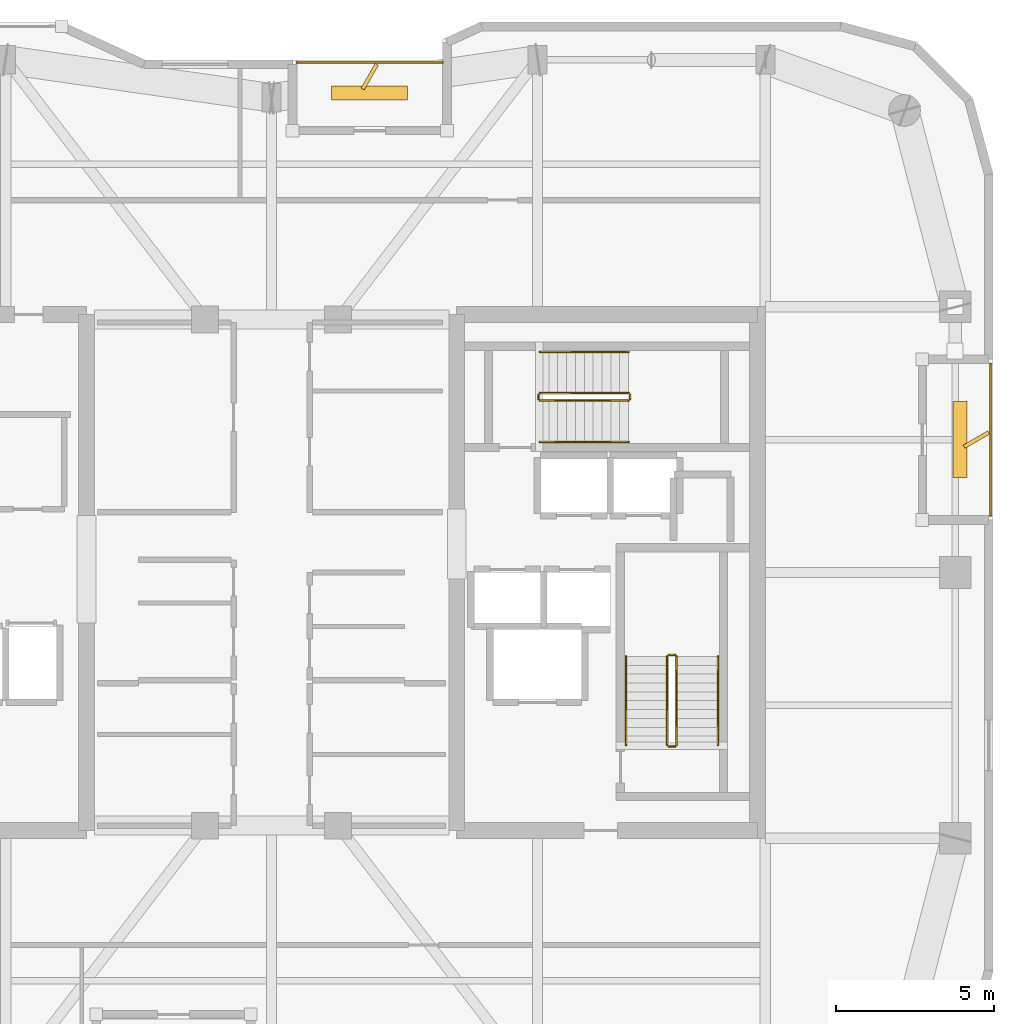
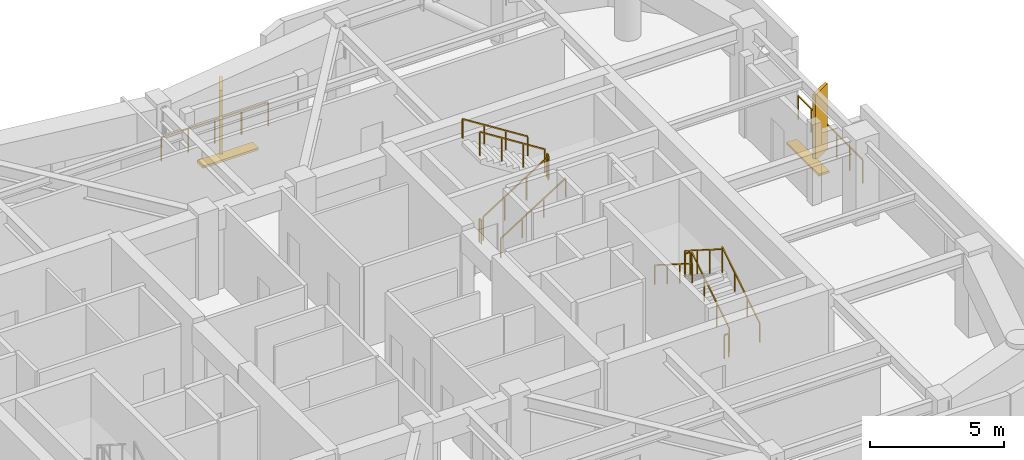
# One storey, part 15 of 15: 14 railings, 4 shading devices.
"""IFC4 building model written with IfcOpenShell, lengths in metres."""

from ifc_helpers import new_model, si_unit, direction, frame, origin, origin_2d, place, context, subcontext, project, spatial, rectangle, extrude, material, type_object, element, save


model = new_model("IFC4")

# Units and contexts
model_context = context("Model", 3, precision=1e-05, world=origin(), true_north=direction((0.0, 1.0)))
body_context = subcontext(model_context, "Body", "Model", "MODEL_VIEW")
ifc_project = project(units=[si_unit("LENGTHUNIT", "METRE"), si_unit("AREAUNIT", "SQUARE_METRE"), si_unit("VOLUMEUNIT", "CUBIC_METRE"), si_unit("PLANEANGLEUNIT", "RADIAN"), si_unit("MASSUNIT", "GRAM", prefix="KILO")], contexts=[model_context])

# Site, building, storey
site_placement = place(None, origin())
site = spatial("IfcSite", under=ifc_project, at=site_placement, CompositionType="ELEMENT")
building_placement = place(site_placement, origin())
building = spatial("IfcBuilding", under=site, at=building_placement, Name="Kiyonajd Concourse Tower", CompositionType="ELEMENT")
storey_placement = place(building_placement, frame((0.0, 0.0, 286.199951171875)))
storey = spatial("IfcBuildingStorey", under=building, at=storey_placement, Name="L72", CompositionType="ELEMENT", Elevation=286.199951171875)

# Railings
ifc_material_1 = material(Name="Thermally Broken Anodised Aluminium", Category="aluminium")
railing_type_1 = type_object("IfcRailingType", Name="RL-GRD-LOG", PredefinedType="GUARDRAIL", material=ifc_material_1)
railing_1_placement = place(storey_placement, frame((53.39990234375, 52.1201171875, 0.0)))
element("IfcRailing", 1, at=railing_1_placement, inside=storey, type_object=railing_type_1, Name="L72 Engawa Loggia Perimeter Guard LOG-N", PredefinedType="GUARDRAIL", context=body_context, shape_type="SweptSolid", body=[
    extrude(rectangle(XDim=0.048095703125, YDim=0.048095703125, at=origin_2d()), frame((0.0, 0.0, 1.076171875), z_axis=(-1.0, 0.0, 0.0), x_axis=(0.0, -1.0, 0.0)), (0.0, 0.0, 1.0), 4.599853515625),
    extrude(rectangle(XDim=0.0419921875, YDim=0.0419921875, at=origin_2d()), origin(), (0.0, 0.0, 1.0), 1.052001953125),
    extrude(rectangle(XDim=0.0419921875, YDim=0.0419921875, at=origin_2d()), frame((-1.14990234375, 0.0, 0.0)), (0.0, 0.0, 1.0), 1.052001953125),
    extrude(rectangle(XDim=0.0419921875, YDim=0.0419921875, at=origin_2d()), frame((-2.2998046875, 0.0, 0.0)), (0.0, 0.0, 1.0), 1.052001953125),
    extrude(rectangle(XDim=0.0419921875, YDim=0.0419921875, at=origin_2d()), frame((-3.449951171875, 0.0, 0.0)), (0.0, 0.0, 1.0), 1.052001953125),
    extrude(rectangle(XDim=0.0419921875, YDim=0.0419921875, at=origin_2d()), frame((-4.599853515625, 0.0, 0.0)), (0.0, 0.0, 1.0), 1.052001953125),
])
railing_2_placement = place(storey_placement, frame((70.719970703125, 37.800048828125, 0.0)))
element("IfcRailing", 2, at=railing_2_placement, inside=storey, type_object=railing_type_1, Name="L72 Engawa Loggia Perimeter Guard LOG-E", PredefinedType="GUARDRAIL", context=body_context, shape_type="SweptSolid", body=[
    extrude(rectangle(XDim=0.048095703125, YDim=0.048095703125, at=origin_2d()), frame((0.0, 0.0, 1.076171875), z_axis=(0.0, 1.0, 0.0), x_axis=(-1.0, 0.0, 0.0)), (0.0, 0.0, 1.0), 4.800048828125),
    extrude(rectangle(XDim=0.0419921875, YDim=0.0419921875, at=origin_2d()), origin(), (0.0, 0.0, 1.0), 1.052001953125),
    extrude(rectangle(XDim=0.0419921875, YDim=0.0419921875, at=origin_2d()), frame((0.0, 0.9599609375, 0.0)), (0.0, 0.0, 1.0), 1.052001953125),
    extrude(rectangle(XDim=0.0419921875, YDim=0.0419921875, at=origin_2d()), frame((0.0, 1.919921875, 0.0)), (0.0, 0.0, 1.0), 1.052001953125),
    extrude(rectangle(XDim=0.0419921875, YDim=0.0419921875, at=origin_2d()), frame((0.0, 2.880126953125, 0.0)), (0.0, 0.0, 1.0), 1.052001953125),
    extrude(rectangle(XDim=0.0419921875, YDim=0.0419921875, at=origin_2d()), frame((0.0, 3.840087890625, 0.0)), (0.0, 0.0, 1.0), 1.052001953125),
    extrude(rectangle(XDim=0.0419921875, YDim=0.0419921875, at=origin_2d()), frame((0.0, 4.800048828125, 0.0)), (0.0, 0.0, 1.0), 1.052001953125),
])
ifc_material_2 = material(Name="Steel ASTM A500 Grade C", Category="steel")
railing_type_2 = type_object("IfcRailingType", Name="RL-GRD-STR", PredefinedType="GUARDRAIL", material=ifc_material_2)
railing_3_placement = place(storey_placement, frame((60.800048828125, 30.550048828125, 0.17724609375)))
element("IfcRailing", 3, at=railing_3_placement, inside=storey, type_object=railing_type_2, Name="L72 ST2 stair guard 1", PredefinedType="GUARDRAIL", context=body_context, shape_type="SweptSolid", body=[
    extrude(rectangle(XDim=0.048095703125, YDim=0.048095703125, at=origin_2d()), frame((0.0, 0.0, 1.076171875), z_axis=(0.0, 0.844908973607, 0.534910110503), x_axis=(-1.0, 0.0, 0.0)), (0.0, 0.0, 1.0), 3.31396484375),
    extrude(rectangle(XDim=0.0419921875, YDim=0.0419921875, at=origin_2d()), origin(), (0.0, 0.0, 1.0), 1.052001953125),
    extrude(rectangle(XDim=0.0419921875, YDim=0.0419921875, at=origin_2d()), frame((0.0, 0.933349609375, 0.5908203125)), (0.0, 0.0, 1.0), 1.052001953125),
    extrude(rectangle(XDim=0.0419921875, YDim=0.0419921875, at=origin_2d()), frame((0.0, 1.86669921875, 1.181884765625)), (0.0, 0.0, 1.0), 1.052001953125),
    extrude(rectangle(XDim=0.0419921875, YDim=0.0419921875, at=origin_2d()), frame((0.0, 2.800048828125, 1.772705078125)), (0.0, 0.0, 1.0), 1.052001953125),
])
railing_4_placement = place(storey_placement, frame((60.75, 33.39990234375, 1.949951171875)))
element("IfcRailing", 4, at=railing_4_placement, inside=storey, type_object=railing_type_2, Name="L72 ST2 stair guard 2", PredefinedType="GUARDRAIL", context=body_context, shape_type="SweptSolid", body=[
    extrude(rectangle(XDim=0.048095703125, YDim=0.048095703125, at=origin_2d()), frame((0.0, 0.0, 1.076171875), z_axis=(-1.0, 0.0, 0.0), x_axis=(0.0, -1.0, 0.0)), (0.0, 0.0, 1.0), 0.199951171875),
    extrude(rectangle(XDim=0.0419921875, YDim=0.0419921875, at=origin_2d()), origin(), (0.0, 0.0, 1.0), 1.052001953125),
    extrude(rectangle(XDim=0.0419921875, YDim=0.0419921875, at=origin_2d()), frame((-0.199951171875, 0.0, 0.0)), (0.0, 0.0, 1.0), 1.052001953125),
])
railing_5_placement = place(storey_placement, frame((60.5, 33.35009765625, 2.12744140625)))
element("IfcRailing", 5, at=railing_5_placement, inside=storey, type_object=railing_type_2, Name="L72 ST2 stair guard 3", PredefinedType="GUARDRAIL", context=body_context, shape_type="SweptSolid", body=[
    extrude(rectangle(XDim=0.048095703125, YDim=0.048095703125, at=origin_2d()), frame((0.0, 0.0, 1.076171875), z_axis=(0.0, -0.844908973607, 0.534910110503), x_axis=(1.0, 0.0, 0.0)), (0.0, 0.0, 1.0), 3.31396484375),
    extrude(rectangle(XDim=0.0419921875, YDim=0.0419921875, at=origin_2d()), origin(), (0.0, 0.0, 1.0), 1.052001953125),
    extrude(rectangle(XDim=0.0419921875, YDim=0.0419921875, at=origin_2d()), frame((0.0, -0.933349609375, 0.5908203125)), (0.0, 0.0, 1.0), 1.052001953125),
    extrude(rectangle(XDim=0.0419921875, YDim=0.0419921875, at=origin_2d()), frame((0.0, -1.86669921875, 1.181884765625)), (0.0, 0.0, 1.0), 1.052001953125),
    extrude(rectangle(XDim=0.0419921875, YDim=0.0419921875, at=origin_2d()), frame((0.0, -2.800048828125, 1.772705078125)), (0.0, 0.0, 1.0), 1.052001953125),
])
railing_6_placement = place(storey_placement, frame((60.75, 30.5, 0.0)))
element("IfcRailing", 6, at=railing_6_placement, inside=storey, type_object=railing_type_2, Name="L72 ST2 stair guard 4", PredefinedType="GUARDRAIL", context=body_context, shape_type="SweptSolid", body=[
    extrude(rectangle(XDim=0.048095703125, YDim=0.048095703125, at=origin_2d()), frame((0.0, 0.0, 1.076171875), z_axis=(-1.0, 0.0, 0.0), x_axis=(0.0, -1.0, 0.0)), (0.0, 0.0, 1.0), 0.199951171875),
    extrude(rectangle(XDim=0.0419921875, YDim=0.0419921875, at=origin_2d()), origin(), (0.0, 0.0, 1.0), 1.052001953125),
    extrude(rectangle(XDim=0.0419921875, YDim=0.0419921875, at=origin_2d()), frame((-0.199951171875, 0.0, 0.0)), (0.0, 0.0, 1.0), 1.052001953125),
])
railing_7_placement = place(storey_placement, frame((56.47998046875, 41.429931640625, 0.17724609375)))
element("IfcRailing", 7, at=railing_7_placement, inside=storey, type_object=railing_type_2, Name="L72 ST3 stair guard 1", PredefinedType="GUARDRAIL", context=body_context, shape_type="SweptSolid", body=[
    extrude(rectangle(XDim=0.048095703125, YDim=0.048095703125, at=origin_2d()), frame((0.0, 0.0, 1.076171875), z_axis=(0.844908973607, 0.0, 0.534910110503), x_axis=(0.0, 1.0, 0.0)), (0.0, 0.0, 1.0), 3.31396484375),
    extrude(rectangle(XDim=0.0419921875, YDim=0.0419921875, at=origin_2d()), origin(), (0.0, 0.0, 1.0), 1.052001953125),
    extrude(rectangle(XDim=0.0419921875, YDim=0.0419921875, at=origin_2d()), frame((0.933349609375, 0.0, 0.5908203125)), (0.0, 0.0, 1.0), 1.052001953125),
    extrude(rectangle(XDim=0.0419921875, YDim=0.0419921875, at=origin_2d()), frame((1.86669921875, 0.0, 1.181884765625)), (0.0, 0.0, 1.0), 1.052001953125),
    extrude(rectangle(XDim=0.0419921875, YDim=0.0419921875, at=origin_2d()), frame((2.800048828125, 0.0, 1.772705078125)), (0.0, 0.0, 1.0), 1.052001953125),
])
railing_8_placement = place(storey_placement, frame((59.330078125, 41.47998046875, 1.949951171875)))
element("IfcRailing", 8, at=railing_8_placement, inside=storey, type_object=railing_type_2, Name="L72 ST3 stair guard 2", PredefinedType="GUARDRAIL", context=body_context, shape_type="SweptSolid", body=[
    extrude(rectangle(XDim=0.048095703125, YDim=0.048095703125, at=origin_2d()), frame((0.0, 0.0, 1.076171875), z_axis=(0.0, 1.0, 0.0), x_axis=(-1.0, 0.0, 0.0)), (0.0, 0.0, 1.0), 0.14013671875),
    extrude(rectangle(XDim=0.0419921875, YDim=0.0419921875, at=origin_2d()), origin(), (0.0, 0.0, 1.0), 1.052001953125),
    extrude(rectangle(XDim=0.0419921875, YDim=0.0419921875, at=origin_2d()), frame((0.0, 0.14013671875, 0.0)), (0.0, 0.0, 1.0), 1.052001953125),
])
railing_9_placement = place(storey_placement, frame((59.280029296875, 41.669921875, 2.12744140625)))
element("IfcRailing", 9, at=railing_9_placement, inside=storey, type_object=railing_type_2, Name="L72 ST3 stair guard 3", PredefinedType="GUARDRAIL", context=body_context, shape_type="SweptSolid", body=[
    extrude(rectangle(XDim=0.048095703125, YDim=0.048095703125, at=origin_2d()), frame((0.0, 0.0, 1.076171875), z_axis=(-0.844908973607, 0.0, 0.534910110503), x_axis=(0.0, -1.0, 0.0)), (0.0, 0.0, 1.0), 3.31396484375),
    extrude(rectangle(XDim=0.0419921875, YDim=0.0419921875, at=origin_2d()), origin(), (0.0, 0.0, 1.0), 1.052001953125),
    extrude(rectangle(XDim=0.0419921875, YDim=0.0419921875, at=origin_2d()), frame((-0.933349609375, 0.0, 0.5908203125)), (0.0, 0.0, 1.0), 1.052001953125),
    extrude(rectangle(XDim=0.0419921875, YDim=0.0419921875, at=origin_2d()), frame((-1.86669921875, 0.0, 1.181884765625)), (0.0, 0.0, 1.0), 1.052001953125),
    extrude(rectangle(XDim=0.0419921875, YDim=0.0419921875, at=origin_2d()), frame((-2.800048828125, 0.0, 1.772705078125)), (0.0, 0.0, 1.0), 1.052001953125),
])
railing_10_placement = place(storey_placement, frame((56.429931640625, 41.47998046875, 0.0)))
element("IfcRailing", 10, at=railing_10_placement, inside=storey, type_object=railing_type_2, Name="L72 ST3 stair guard 4", PredefinedType="GUARDRAIL", context=body_context, shape_type="SweptSolid", body=[
    extrude(rectangle(XDim=0.048095703125, YDim=0.048095703125, at=origin_2d()), frame((0.0, 0.0, 1.076171875), z_axis=(0.0, 1.0, 0.0), x_axis=(-1.0, 0.0, 0.0)), (0.0, 0.0, 1.0), 0.14013671875),
    extrude(rectangle(XDim=0.0419921875, YDim=0.0419921875, at=origin_2d()), origin(), (0.0, 0.0, 1.0), 1.052001953125),
    extrude(rectangle(XDim=0.0419921875, YDim=0.0419921875, at=origin_2d()), frame((0.0, 0.14013671875, 0.0)), (0.0, 0.0, 1.0), 1.052001953125),
])
ifc_material_3 = material(Name="Brushed Stainless Steel Cab Assembly", Category="steel")
railing_type_3 = type_object("IfcRailingType", Name="RL-HND-900", PredefinedType="HANDRAIL", material=ifc_material_3)
railing_11_placement = place(storey_placement, frame((62.10009765625, 30.550048828125, 0.17724609375)))
element("IfcRailing", 11, at=railing_11_placement, inside=storey, type_object=railing_type_3, Name="L72 ST2 stair handrail 1", PredefinedType="HANDRAIL", context=body_context, shape_type="SweptSolid", body=[
    extrude(rectangle(XDim=0.048095703125, YDim=0.048095703125, at=origin_2d()), frame((0.0, 0.0, 0.8759765625), z_axis=(0.0, 0.844908973607, 0.534910110503), x_axis=(-1.0, 0.0, 0.0)), (0.0, 0.0, 1.0), 3.31396484375),
    extrude(rectangle(XDim=0.0419921875, YDim=0.0419921875, at=origin_2d()), origin(), (0.0, 0.0, 1.0), 0.851806640625),
    extrude(rectangle(XDim=0.0419921875, YDim=0.0419921875, at=origin_2d()), frame((0.0, 0.933349609375, 0.5908203125)), (0.0, 0.0, 1.0), 0.851806640625),
    extrude(rectangle(XDim=0.0419921875, YDim=0.0419921875, at=origin_2d()), frame((0.0, 1.86669921875, 1.181884765625)), (0.0, 0.0, 1.0), 0.851806640625),
    extrude(rectangle(XDim=0.0419921875, YDim=0.0419921875, at=origin_2d()), frame((0.0, 2.800048828125, 1.772705078125)), (0.0, 0.0, 1.0), 0.851806640625),
])
railing_12_placement = place(storey_placement, frame((59.199951171875, 33.35009765625, 2.12744140625)))
element("IfcRailing", 12, at=railing_12_placement, inside=storey, type_object=railing_type_3, Name="L72 ST2 stair handrail 2", PredefinedType="HANDRAIL", context=body_context, shape_type="SweptSolid", body=[
    extrude(rectangle(XDim=0.048095703125, YDim=0.048095703125, at=origin_2d()), frame((0.0, 0.0, 0.8759765625), z_axis=(0.0, -0.844908973607, 0.534910110503), x_axis=(1.0, 0.0, 0.0)), (0.0, 0.0, 1.0), 3.31396484375),
    extrude(rectangle(XDim=0.0419921875, YDim=0.0419921875, at=origin_2d()), origin(), (0.0, 0.0, 1.0), 0.851806640625),
    extrude(rectangle(XDim=0.0419921875, YDim=0.0419921875, at=origin_2d()), frame((0.0, -0.933349609375, 0.5908203125)), (0.0, 0.0, 1.0), 0.851806640625),
    extrude(rectangle(XDim=0.0419921875, YDim=0.0419921875, at=origin_2d()), frame((0.0, -1.86669921875, 1.181884765625)), (0.0, 0.0, 1.0), 0.851806640625),
    extrude(rectangle(XDim=0.0419921875, YDim=0.0419921875, at=origin_2d()), frame((0.0, -2.800048828125, 1.772705078125)), (0.0, 0.0, 1.0), 0.851806640625),
])
railing_13_placement = place(storey_placement, frame((56.47998046875, 40.1298828125, 0.17724609375)))
element("IfcRailing", 13, at=railing_13_placement, inside=storey, type_object=railing_type_3, Name="L72 ST3 stair handrail 1", PredefinedType="HANDRAIL", context=body_context, shape_type="SweptSolid", body=[
    extrude(rectangle(XDim=0.048095703125, YDim=0.048095703125, at=origin_2d()), frame((0.0, 0.0, 0.8759765625), z_axis=(0.844908973607, 0.0, 0.534910110503), x_axis=(0.0, 1.0, 0.0)), (0.0, 0.0, 1.0), 3.31396484375),
    extrude(rectangle(XDim=0.0419921875, YDim=0.0419921875, at=origin_2d()), origin(), (0.0, 0.0, 1.0), 0.851806640625),
    extrude(rectangle(XDim=0.0419921875, YDim=0.0419921875, at=origin_2d()), frame((0.933349609375, 0.0, 0.5908203125)), (0.0, 0.0, 1.0), 0.851806640625),
    extrude(rectangle(XDim=0.0419921875, YDim=0.0419921875, at=origin_2d()), frame((1.86669921875, 0.0, 1.181884765625)), (0.0, 0.0, 1.0), 0.851806640625),
    extrude(rectangle(XDim=0.0419921875, YDim=0.0419921875, at=origin_2d()), frame((2.800048828125, 0.0, 1.772705078125)), (0.0, 0.0, 1.0), 0.851806640625),
])
railing_14_placement = place(storey_placement, frame((59.280029296875, 42.969970703125, 2.12744140625)))
element("IfcRailing", 14, at=railing_14_placement, inside=storey, type_object=railing_type_3, Name="L72 ST3 stair handrail 2", PredefinedType="HANDRAIL", context=body_context, shape_type="SweptSolid", body=[
    extrude(rectangle(XDim=0.048095703125, YDim=0.048095703125, at=origin_2d()), frame((0.0, 0.0, 0.8759765625), z_axis=(-0.844908973607, 0.0, 0.534910110503), x_axis=(0.0, -1.0, 0.0)), (0.0, 0.0, 1.0), 3.31396484375),
    extrude(rectangle(XDim=0.0419921875, YDim=0.0419921875, at=origin_2d()), origin(), (0.0, 0.0, 1.0), 0.851806640625),
    extrude(rectangle(XDim=0.0419921875, YDim=0.0419921875, at=origin_2d()), frame((-0.933349609375, 0.0, 0.5908203125)), (0.0, 0.0, 1.0), 0.851806640625),
    extrude(rectangle(XDim=0.0419921875, YDim=0.0419921875, at=origin_2d()), frame((-1.86669921875, 0.0, 1.181884765625)), (0.0, 0.0, 1.0), 0.851806640625),
    extrude(rectangle(XDim=0.0419921875, YDim=0.0419921875, at=origin_2d()), frame((-2.800048828125, 0.0, 1.772705078125)), (0.0, 0.0, 1.0), 0.851806640625),
])

# Shading devices
ifc_material_4 = material(Name="Precast concrete C50/60", Category="concrete")
shading_device_type_1 = type_object("IfcShadingDeviceType", Name="SH-FIN-900", PredefinedType="USERDEFINED", material=ifc_material_4)
for number, where, z_axis, x_axis, name in (
    (15, (51.10009765625, 51.669921875, 0.0), (0.0, 0.0, 1.0), (0.5, 0.866025403784, 0.0), "L72 Angled Koshi Solar Fin LOG-N"),
    (16, (70.27001953125, 40.199951171875, 0.0), (0.0, 0.0, 1.0), (0.866025403784, 0.5, 0.0), "L72 Angled Koshi Solar Fin LOG-E"),
):
    element("IfcShadingDevice", number, at=place(storey_placement, frame(where, z_axis=z_axis, x_axis=x_axis)), inside=storey, type_object=shading_device_type_1, Name=name, ObjectType="FIN", PredefinedType="USERDEFINED", context=body_context, shape_type="SweptSolid", body=[
        extrude(rectangle(XDim=0.89990234375, YDim=0.1201171875, at=origin_2d()), origin(), (0.0, 0.0, 1.0), 3.0),
    ])
shading_device_type_2 = type_object("IfcShadingDeviceType", Name="SH-LVR-600", PredefinedType="JALOUSIE", material=ifc_material_1)
for number, where, z_axis, x_axis, name in (
    (17, (51.10009765625, 51.14990234375, 0.0), (0.0, 0.0, 1.0), (1.0, 0.0, 0.0), "L72 Loggia Threshold Louver LOG-N"),
    (18, (69.75, 40.199951171875, 0.0), (0.0, 0.0, 1.0), (0.0, 1.0, 0.0), "L72 Loggia Threshold Louver LOG-E"),
):
    element("IfcShadingDevice", number, at=place(storey_placement, frame(where, z_axis=z_axis, x_axis=x_axis)), inside=storey, type_object=shading_device_type_2, Name=name, PredefinedType="JALOUSIE", context=body_context, shape_type="SweptSolid", body=[
        extrude(rectangle(XDim=2.39990234375, YDim=0.449951171875, at=origin_2d()), origin(), (0.0, 0.0, 1.0), 0.10009765625),
    ])

save(model, "model.ifc")
